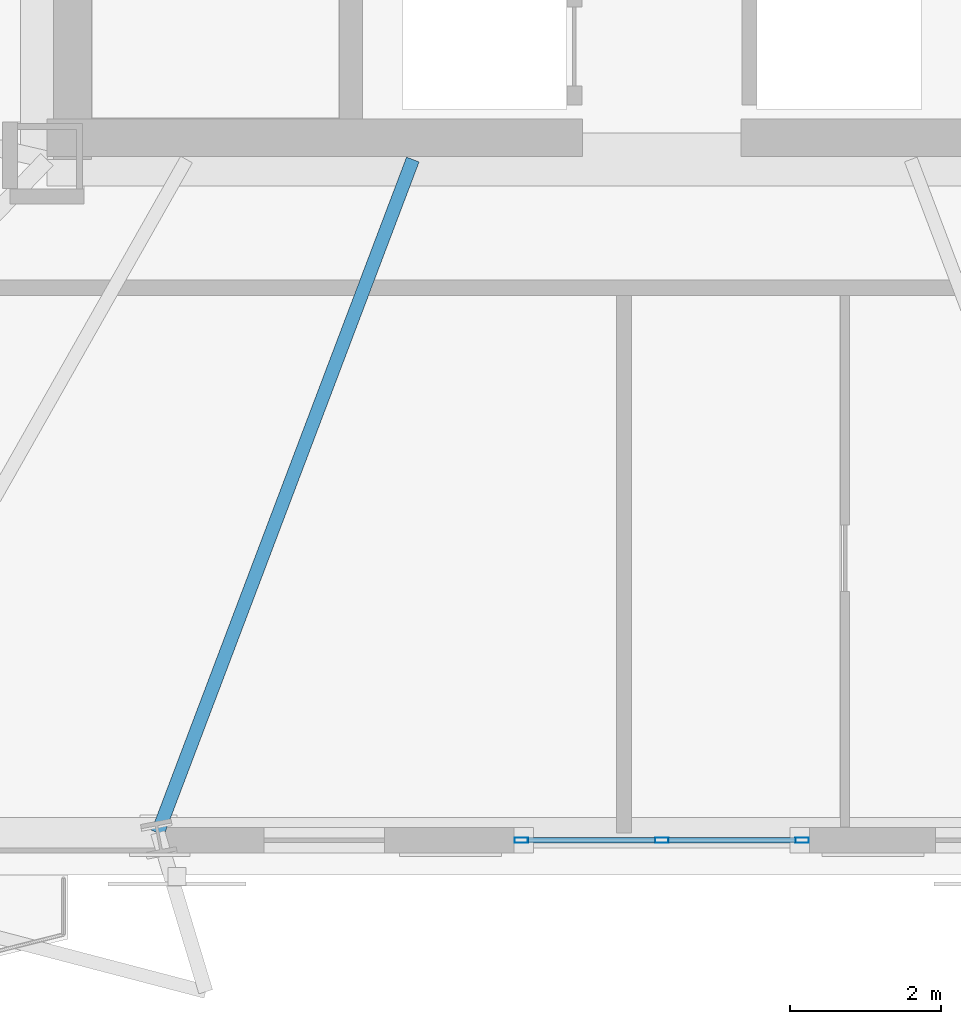
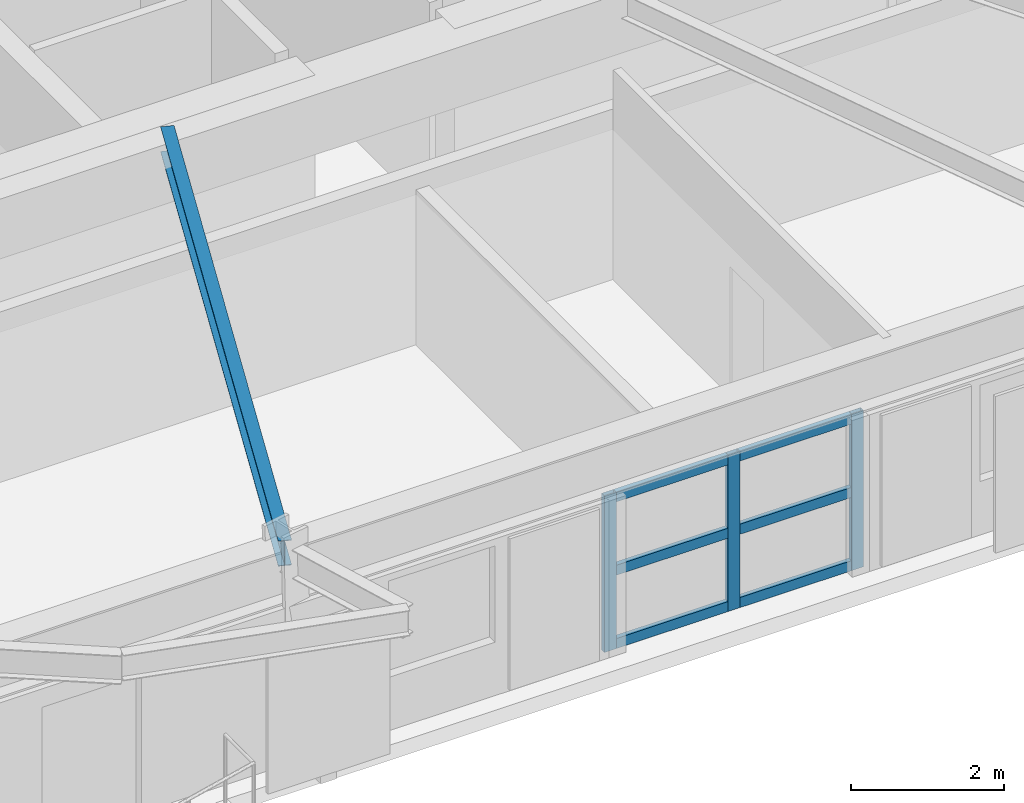
# One storey, part 2 of 15: 9 members, 1 beam, 1 element without a shape of its own.
"""IFC4 building model written with IfcOpenShell, lengths in metres."""

from ifc_helpers import new_model, si_unit, direction, frame, origin, origin_2d, place, context, subcontext, project, spatial, hollow_rectangle, i_section, extrude, material, layer, layer_set, material_profile, profile_set, type_object, element, aggregate, save


model = new_model("IFC4")

# Units and contexts
model_context = context("Model", 3, precision=1e-05, world=origin(), true_north=direction((0.0, 1.0)))
body_context = subcontext(model_context, "Body", "Model", "MODEL_VIEW")
ifc_project = project(units=[si_unit("LENGTHUNIT", "METRE"), si_unit("AREAUNIT", "SQUARE_METRE"), si_unit("VOLUMEUNIT", "CUBIC_METRE"), si_unit("PLANEANGLEUNIT", "RADIAN"), si_unit("MASSUNIT", "GRAM", prefix="KILO")], contexts=[model_context])

# Site, building, storey
site_placement = place(None, origin())
site = spatial("IfcSite", under=ifc_project, at=site_placement, CompositionType="ELEMENT")
building_placement = place(site_placement, origin())
building = spatial("IfcBuilding", under=site, at=building_placement, Name="Oramaril Tower", CompositionType="ELEMENT")
storey_placement = place(building_placement, frame((0.0, 0.0, 48.89990234375)))
storey = spatial("IfcBuildingStorey", under=building, at=storey_placement, Name="L12", CompositionType="ELEMENT", Elevation=48.89990234375)

# Beam
ifc_material_1 = material(Name="Steel ASTM A572 Gr 50", Category="steel")
ifc_material_profile_1 = material_profile(ifc_material_1, i_section(OverallWidth=0.177978515625, OverallDepth=0.404052734375, WebThickness=0.007568359375, FlangeThickness=0.010986328125, at=origin_2d()), Name="W16X36")
ifc_profile_set_1 = profile_set([ifc_material_profile_1], Name="Steel ASTM A572 Gr 50")
beam_type = type_object("IfcBeamType", Name="BT-SB1", PredefinedType="BEAM", material=ifc_profile_set_1)
beam_placement = place(storey_placement, frame((34.199951171875, 11.0, 3.158203125), z_axis=(-0.354290124867, -0.93513555564, 0.0), x_axis=(0.93513555564, -0.354290124867, 0.0)))
element("IfcBeam", 1, at=beam_placement, inside=storey, type_object=beam_type, Name="L12 Secondary Floor Beam SB-02", PredefinedType="BEAM", context=body_context, shape_type="SweptSolid", body=[
    extrude(i_section(OverallWidth=0.177978515625, OverallDepth=0.404052734375, WebThickness=0.007568359375, FlangeThickness=0.010986328125, at=origin_2d()), origin(), (0.0, 0.0, 1.0), 9.541259765625),
])

# Curtain wall, members
ifc_material_2 = material(Name="Anodised Aluminium 6063-T6", Category="aluminium")
ifc_layer = layer(ifc_material_2, 0.179931640625)
ifc_layer_set = layer_set([ifc_layer], Name="CWT-SYS3")
curtain_wall_type = type_object("IfcCurtainWallType", Name="CWT-SYS3", PredefinedType="NOTDEFINED", material=ifc_layer_set)
curtain_wall_placement = place(storey_placement, origin())
curtain_wall = element("IfcCurtainWall", 2, at=curtain_wall_placement, inside=storey, type_object=curtain_wall_type, Name="L12 Unitised Curtain Wall CW-3", PredefinedType="NOTDEFINED")
ifc_material_3 = material(Name="Anodised Aluminium 6063-T6", Category="aluminium")
ifc_material_profile_2 = material_profile(ifc_material_3, hollow_rectangle(XDim=0.070068359375, YDim=0.179931640625, WallThickness=0.00390625, at=origin_2d()), Name="CWM180X70")
ifc_profile_set_2 = profile_set([ifc_material_profile_2], Name="Anodised Aluminium 6063-T6")
member_type_1 = type_object("IfcMemberType", Name="MT-CWM2", PredefinedType="MULLION", material=ifc_profile_set_2)
member_1_placement = place(storey_placement, frame((35.639892578125, 1.978271484375, 0.0), z_axis=(0.0, 0.0, 1.0), x_axis=(0.0, 1.0, 0.0)))
member_1 = element("IfcMember", 3, at=member_1_placement, type_object=member_type_1, Name="CW-3 mullion 1", PredefinedType="MULLION", context=body_context, shape_type="SweptSolid", body=[
    extrude(hollow_rectangle(XDim=0.070068359375, YDim=0.179931640625, WallThickness=0.00390625, at=origin_2d()), origin(), (0.0, 0.0, 1.0), 2.494140625),
])
member_2_placement = place(storey_placement, frame((37.5, 1.978271484375, 0.0), z_axis=(0.0, 0.0, 1.0), x_axis=(0.0, 1.0, 0.0)))
member_2 = element("IfcMember", 4, at=member_2_placement, type_object=member_type_1, Name="CW-3 mullion 2", PredefinedType="MULLION", context=body_context, shape_type="SweptSolid", body=[
    extrude(hollow_rectangle(XDim=0.070068359375, YDim=0.179931640625, WallThickness=0.00390625, at=origin_2d()), origin(), (0.0, 0.0, 1.0), 2.494140625),
])
member_3_placement = place(storey_placement, frame((39.360107421875, 1.978271484375, 0.0), z_axis=(0.0, 0.0, 1.0), x_axis=(0.0, 1.0, 0.0)))
member_3 = element("IfcMember", 5, at=member_3_placement, type_object=member_type_1, Name="CW-3 mullion 3", PredefinedType="MULLION", context=body_context, shape_type="SweptSolid", body=[
    extrude(hollow_rectangle(XDim=0.070068359375, YDim=0.179931640625, WallThickness=0.00390625, at=origin_2d()), origin(), (0.0, 0.0, 1.0), 2.494140625),
])
ifc_material_4 = material(Name="Anodised Aluminium 6063-T6", Category="aluminium")
ifc_material_profile_3 = material_profile(ifc_material_4, hollow_rectangle(XDim=0.070068359375, YDim=0.159912109375, WallThickness=0.00390625, at=origin_2d()), Name="CWT160X70")
ifc_profile_set_3 = profile_set([ifc_material_profile_3], Name="Anodised Aluminium 6063-T6")
member_type_2 = type_object("IfcMemberType", Name="MT-CWT1", PredefinedType="USERDEFINED", material=ifc_profile_set_3)
member_4_placement = place(storey_placement, frame((35.72998046875, 1.978271484375, 0.080078125), z_axis=(1.0, 0.0, 0.0), x_axis=(0.0, 1.0, 0.0)))
member_4 = element("IfcMember", 6, at=member_4_placement, type_object=member_type_2, Name="CW-3 transom 1.1", ObjectType="TRANSOM", PredefinedType="USERDEFINED", context=body_context, shape_type="SweptSolid", body=[
    extrude(hollow_rectangle(XDim=0.070068359375, YDim=0.159912109375, WallThickness=0.00390625, at=origin_2d()), origin(), (0.0, 0.0, 1.0), 1.679931640625),
])
member_5_placement = place(storey_placement, frame((35.72998046875, 1.978271484375, 1.2470703125), z_axis=(1.0, 0.0, 0.0), x_axis=(0.0, 1.0, 0.0)))
member_5 = element("IfcMember", 7, at=member_5_placement, type_object=member_type_2, Name="CW-3 transom 1.2", ObjectType="TRANSOM", PredefinedType="USERDEFINED", context=body_context, shape_type="SweptSolid", body=[
    extrude(hollow_rectangle(XDim=0.070068359375, YDim=0.159912109375, WallThickness=0.00390625, at=origin_2d()), origin(), (0.0, 0.0, 1.0), 1.679931640625),
])
member_6_placement = place(storey_placement, frame((35.72998046875, 1.978271484375, 2.4140625), z_axis=(1.0, 0.0, 0.0), x_axis=(0.0, 1.0, 0.0)))
member_6 = element("IfcMember", 8, at=member_6_placement, type_object=member_type_2, Name="CW-3 transom 1.3", ObjectType="TRANSOM", PredefinedType="USERDEFINED", context=body_context, shape_type="SweptSolid", body=[
    extrude(hollow_rectangle(XDim=0.070068359375, YDim=0.159912109375, WallThickness=0.00390625, at=origin_2d()), origin(), (0.0, 0.0, 1.0), 1.679931640625),
])
member_7_placement = place(storey_placement, frame((37.590087890625, 1.978271484375, 0.080078125), z_axis=(1.0, 0.0, 0.0), x_axis=(0.0, 1.0, 0.0)))
member_7 = element("IfcMember", 9, at=member_7_placement, type_object=member_type_2, Name="CW-3 transom 2.1", ObjectType="TRANSOM", PredefinedType="USERDEFINED", context=body_context, shape_type="SweptSolid", body=[
    extrude(hollow_rectangle(XDim=0.070068359375, YDim=0.159912109375, WallThickness=0.00390625, at=origin_2d()), origin(), (0.0, 0.0, 1.0), 1.679931640625),
])
member_8_placement = place(storey_placement, frame((37.590087890625, 1.978271484375, 1.2470703125), z_axis=(1.0, 0.0, 0.0), x_axis=(0.0, 1.0, 0.0)))
member_8 = element("IfcMember", 10, at=member_8_placement, type_object=member_type_2, Name="CW-3 transom 2.2", ObjectType="TRANSOM", PredefinedType="USERDEFINED", context=body_context, shape_type="SweptSolid", body=[
    extrude(hollow_rectangle(XDim=0.070068359375, YDim=0.159912109375, WallThickness=0.00390625, at=origin_2d()), origin(), (0.0, 0.0, 1.0), 1.679931640625),
])
member_9_placement = place(storey_placement, frame((37.590087890625, 1.978271484375, 2.4140625), z_axis=(1.0, 0.0, 0.0), x_axis=(0.0, 1.0, 0.0)))
member_9 = element("IfcMember", 11, at=member_9_placement, type_object=member_type_2, Name="CW-3 transom 2.3", ObjectType="TRANSOM", PredefinedType="USERDEFINED", context=body_context, shape_type="SweptSolid", body=[
    extrude(hollow_rectangle(XDim=0.070068359375, YDim=0.159912109375, WallThickness=0.00390625, at=origin_2d()), origin(), (0.0, 0.0, 1.0), 1.679931640625),
])
aggregate(curtain_wall, [member_1, member_2, member_3, member_4, member_5, member_6, member_7, member_8, member_9])

save(model, "model.ifc")
